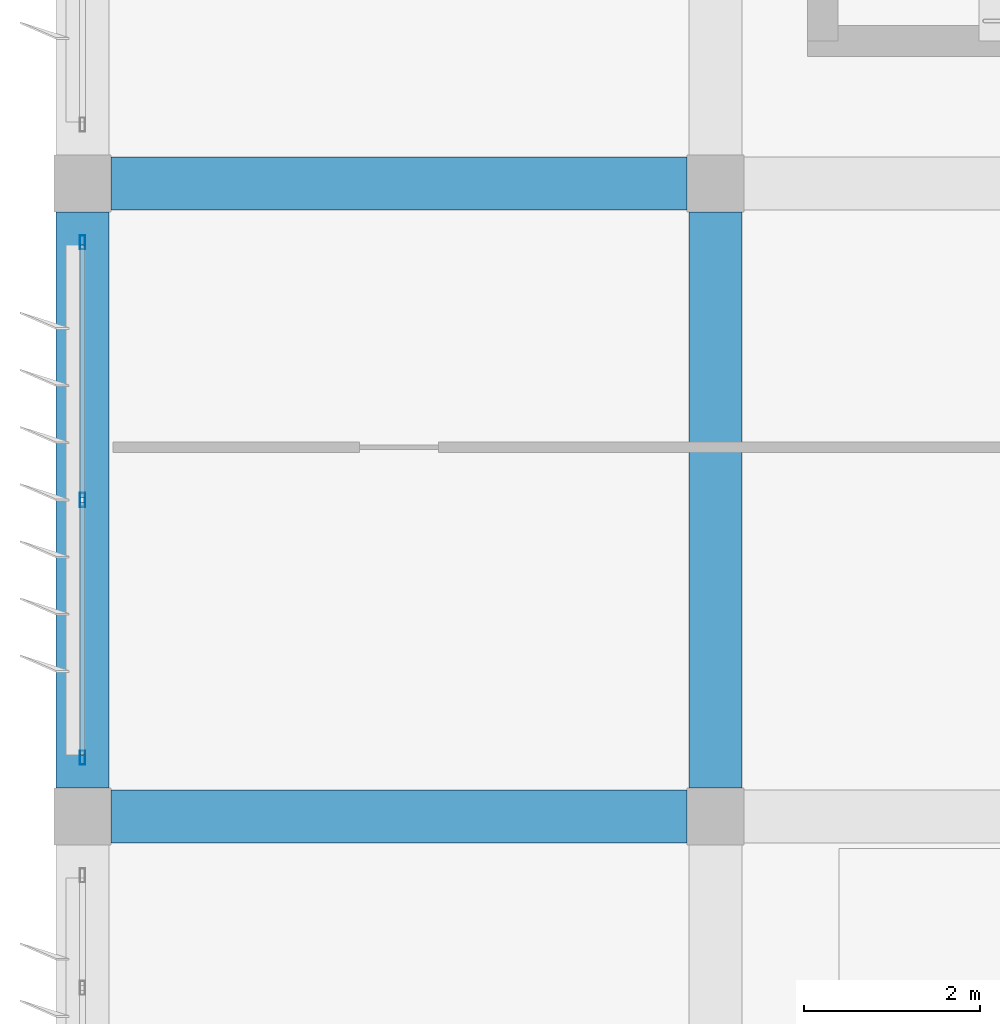
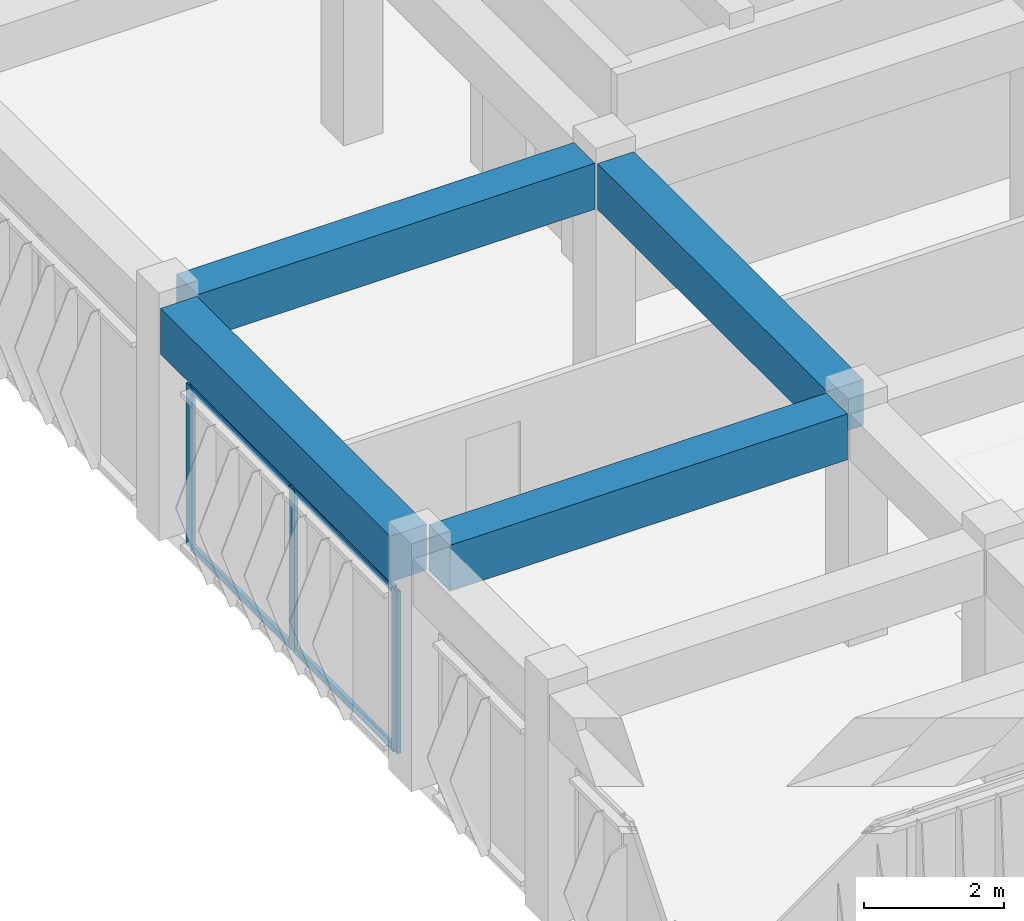
# One storey, part 5 of 53: 7 members, 4 beams, 1 element without a shape of its own.
"""IFC4 building model written with IfcOpenShell, lengths in metres."""

from ifc_helpers import new_model, si_unit, direction, frame, origin, origin_2d, place, context, subcontext, project, spatial, rectangle, hollow_rectangle, extrude, material, material_profile, profile_set, type_object, element, aggregate, save


model = new_model("IFC4")

# Units and contexts
model_context = context("Model", 3, precision=1e-05, world=origin(), true_north=direction((0.0, 1.0)))
body_context = subcontext(model_context, "Body", "Model", "MODEL_VIEW")
ifc_project = project(units=[si_unit("LENGTHUNIT", "METRE"), si_unit("AREAUNIT", "SQUARE_METRE"), si_unit("VOLUMEUNIT", "CUBIC_METRE"), si_unit("PLANEANGLEUNIT", "RADIAN"), si_unit("MASSUNIT", "GRAM", prefix="KILO")], contexts=[model_context])

# Site, building, storey
site_placement = place(None, origin())
site = spatial("IfcSite", under=ifc_project, at=site_placement, CompositionType="ELEMENT")
building_placement = place(site_placement, origin())
building = spatial("IfcBuilding", under=site, at=building_placement, Name="Kazehaya Institute of Natural Sciences", CompositionType="ELEMENT")
storey_placement = place(building_placement, frame((0.0, 0.0, 33.300048828125)))
storey = spatial("IfcBuildingStorey", under=building, at=storey_placement, Name="L07", CompositionType="ELEMENT", Elevation=33.300048828125)

# Beams
ifc_material_1 = material(Name="Concrete Fc36", Category="concrete")
ifc_material_profile_1 = material_profile(ifc_material_1, rectangle(XDim=0.60009765625, YDim=0.800048828125, at=origin_2d()), Name="RC-600x800")
ifc_profile_set_1 = profile_set([ifc_material_profile_1], Name="Concrete Fc36")
beam_type = type_object("IfcBeamType", Name="BM-G-600x800", PredefinedType="BEAM", material=ifc_profile_set_1)
for number, where, z_axis, x_axis, name in (
    (1, (54.925048828125, 14.0, 3.64990234375), (1.0, 0.0, 0.0), (0.0, 1.0, 0.0), "L07 primary X girder BMX-L07-546-140"),
    (2, (54.925048828125, 21.199951171875, 3.64990234375), (1.0, 0.0, 0.0), (0.0, 1.0, 0.0), "L07 primary X girder BMX-L07-546-212"),
    (3, (54.60009765625, 14.324951171875, 3.64990234375), (0.0, 1.0, 0.0), (-1.0, 0.0, 0.0), "L07 primary Y girder BMY-L07-546-140"),
    (4, (61.800048828125, 14.324951171875, 3.64990234375), (0.0, 1.0, 0.0), (-1.0, 0.0, 0.0), "L07 primary Y girder BMY-L07-618-140"),
):
    element("IfcBeam", number, at=place(storey_placement, frame(where, z_axis=z_axis, x_axis=x_axis)), inside=storey, type_object=beam_type, Name=name, PredefinedType="BEAM", context=body_context, shape_type="SweptSolid", body=[
        extrude(rectangle(XDim=0.60009765625, YDim=0.800048828125, at=origin_2d()), origin(), (0.0, 0.0, 1.0), 6.550048828125),
    ])

# Curtain wall, members
ifc_material_2 = material(Name="Aluminium alloy A6063S-T5", Category="aluminium")
curtain_wall_type = type_object("IfcCurtainWallType", Name="CW-SYS-10", PredefinedType="NOTDEFINED", material=ifc_material_2)
curtain_wall_placement = place(storey_placement, origin())
curtain_wall = element("IfcCurtainWall", 5, at=curtain_wall_placement, inside=storey, type_object=curtain_wall_type, Name="L07 unitised curtain wall CW-L07-170", PredefinedType="NOTDEFINED")
ifc_material_profile_2 = material_profile(ifc_material_2, hollow_rectangle(XDim=0.06005859375, YDim=0.159912109375, WallThickness=0.00390625, at=origin_2d()), Name="ALU-60x160x4")
ifc_profile_set_2 = profile_set([ifc_material_profile_2], Name="Aluminium alloy A6063S-T5")
member_type_1 = type_object("IfcMemberType", Name="CWM-160", PredefinedType="MULLION", material=ifc_profile_set_2)
member_1_placement = place(storey_placement, frame((54.60009765625, 14.669921875, 0.0), z_axis=(0.0, 0.0, 1.0), x_axis=(-1.0, 0.0, 0.0)))
member_1 = element("IfcMember", 6, at=member_1_placement, type_object=member_type_1, Name="CW10 mullion 1", PredefinedType="MULLION", context=body_context, shape_type="SweptSolid", body=[
    extrude(hollow_rectangle(XDim=0.06005859375, YDim=0.159912109375, WallThickness=0.00390625, at=origin_2d()), origin(), (0.0, 0.0, 1.0), 2.820068359375),
])
member_2_placement = place(storey_placement, frame((54.60009765625, 17.60009765625, 0.0), z_axis=(0.0, 0.0, 1.0), x_axis=(-1.0, 0.0, 0.0)))
member_2 = element("IfcMember", 7, at=member_2_placement, type_object=member_type_1, Name="CW10 mullion 2", PredefinedType="MULLION", context=body_context, shape_type="SweptSolid", body=[
    extrude(hollow_rectangle(XDim=0.06005859375, YDim=0.159912109375, WallThickness=0.00390625, at=origin_2d()), origin(), (0.0, 0.0, 1.0), 2.820068359375),
])
member_3_placement = place(storey_placement, frame((54.60009765625, 20.530029296875, 0.0), z_axis=(0.0, 0.0, 1.0), x_axis=(-1.0, 0.0, 0.0)))
member_3 = element("IfcMember", 8, at=member_3_placement, type_object=member_type_1, Name="CW10 mullion 3", PredefinedType="MULLION", context=body_context, shape_type="SweptSolid", body=[
    extrude(hollow_rectangle(XDim=0.06005859375, YDim=0.159912109375, WallThickness=0.00390625, at=origin_2d()), origin(), (0.0, 0.0, 1.0), 2.820068359375),
])
ifc_material_profile_3 = material_profile(ifc_material_2, hollow_rectangle(XDim=0.06005859375, YDim=0.1201171875, WallThickness=0.00341796875, at=origin_2d()), Name="ALU-60x120x3.5")
ifc_profile_set_3 = profile_set([ifc_material_profile_3], Name="Aluminium alloy A6063S-T5")
member_type_2 = type_object("IfcMemberType", Name="CWT-120", PredefinedType="USERDEFINED", material=ifc_profile_set_3)
member_4_placement = place(storey_placement, frame((54.60009765625, 14.699951171875, 0.030029296875), z_axis=(0.0, 1.0, 0.0), x_axis=(-1.0, 0.0, 0.0)))
member_4 = element("IfcMember", 9, at=member_4_placement, type_object=member_type_2, Name="CW10 transom 1.1", ObjectType="TRANSOM", PredefinedType="USERDEFINED", context=body_context, shape_type="SweptSolid", body=[
    extrude(hollow_rectangle(XDim=0.06005859375, YDim=0.1201171875, WallThickness=0.00341796875, at=origin_2d()), origin(), (0.0, 0.0, 1.0), 2.8701171875),
])
member_5_placement = place(storey_placement, frame((54.60009765625, 14.699951171875, 2.7900390625), z_axis=(0.0, 1.0, 0.0), x_axis=(-1.0, 0.0, 0.0)))
member_5 = element("IfcMember", 10, at=member_5_placement, type_object=member_type_2, Name="CW10 transom 1.2", ObjectType="TRANSOM", PredefinedType="USERDEFINED", context=body_context, shape_type="SweptSolid", body=[
    extrude(hollow_rectangle(XDim=0.06005859375, YDim=0.1201171875, WallThickness=0.00341796875, at=origin_2d()), origin(), (0.0, 0.0, 1.0), 2.8701171875),
])
member_6_placement = place(storey_placement, frame((54.60009765625, 17.6298828125, 0.030029296875), z_axis=(0.0, 1.0, 0.0), x_axis=(-1.0, 0.0, 0.0)))
member_6 = element("IfcMember", 11, at=member_6_placement, type_object=member_type_2, Name="CW10 transom 2.1", ObjectType="TRANSOM", PredefinedType="USERDEFINED", context=body_context, shape_type="SweptSolid", body=[
    extrude(hollow_rectangle(XDim=0.06005859375, YDim=0.1201171875, WallThickness=0.00341796875, at=origin_2d()), origin(), (0.0, 0.0, 1.0), 2.8701171875),
])
member_7_placement = place(storey_placement, frame((54.60009765625, 17.6298828125, 2.7900390625), z_axis=(0.0, 1.0, 0.0), x_axis=(-1.0, 0.0, 0.0)))
member_7 = element("IfcMember", 12, at=member_7_placement, type_object=member_type_2, Name="CW10 transom 2.2", ObjectType="TRANSOM", PredefinedType="USERDEFINED", context=body_context, shape_type="SweptSolid", body=[
    extrude(hollow_rectangle(XDim=0.06005859375, YDim=0.1201171875, WallThickness=0.00341796875, at=origin_2d()), origin(), (0.0, 0.0, 1.0), 2.8701171875),
])
aggregate(curtain_wall, [member_1, member_2, member_3, member_4, member_5, member_6, member_7])

save(model, "model.ifc")
